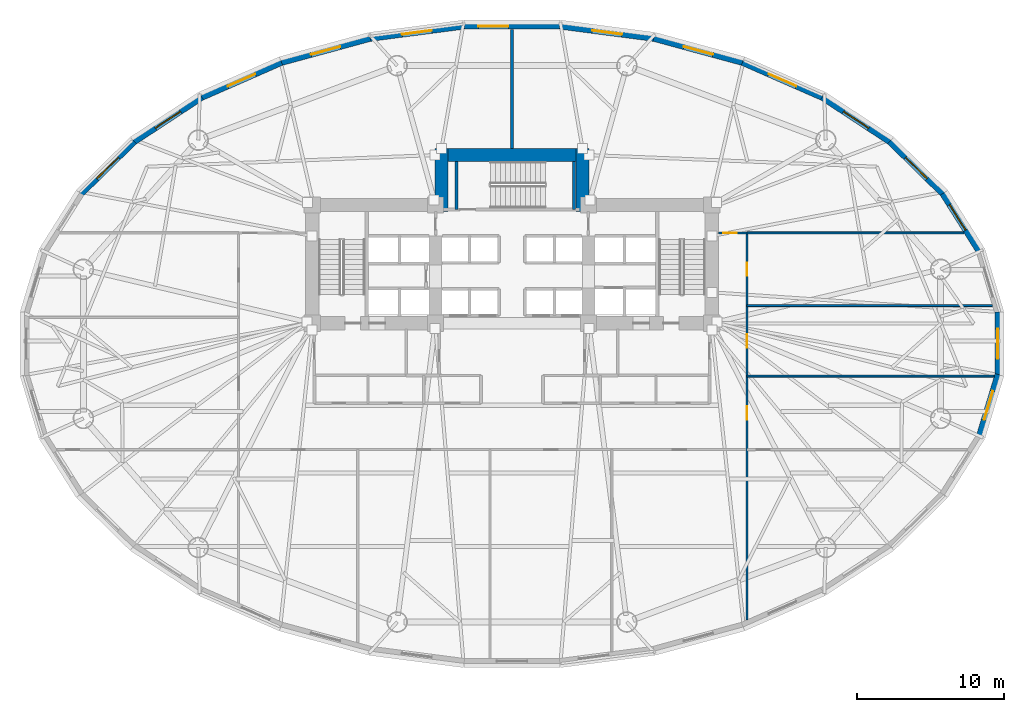
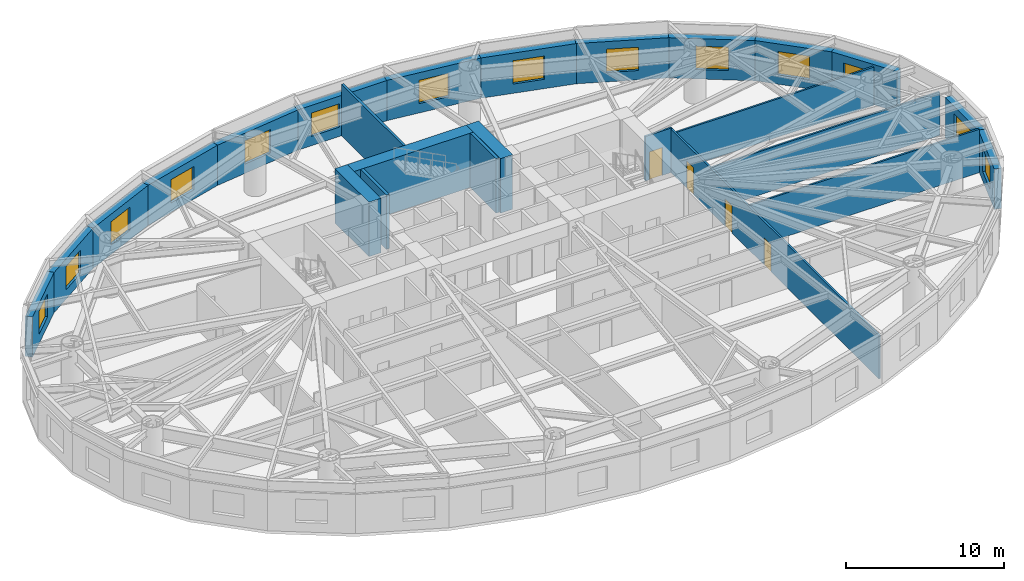
# One storey, part 8 of 14: 25 walls, 14 windows, 4 doors, 18 openings.
"""IFC4 building model written with IfcOpenShell, lengths in metres."""

from ifc_helpers import new_model, si_unit, direction, frame, frame_2d, origin, place, context, subcontext, project, spatial, rectangle, extrude, material, layer, layer_set, type_object, element, fill, save


model = new_model("IFC4")

# Units and contexts
model_context = context("Model", 3, precision=1e-05, world=origin(), true_north=direction((0.0, 1.0)))
body_context = subcontext(model_context, "Body", "Model", "MODEL_VIEW")
ifc_project = project(units=[si_unit("LENGTHUNIT", "METRE"), si_unit("AREAUNIT", "SQUARE_METRE"), si_unit("VOLUMEUNIT", "CUBIC_METRE"), si_unit("PLANEANGLEUNIT", "RADIAN"), si_unit("MASSUNIT", "GRAM", prefix="KILO")], contexts=[model_context])

# Site, building, storey
site_placement = place(None, origin())
site = spatial("IfcSite", under=ifc_project, at=site_placement, CompositionType="ELEMENT")
building_placement = place(site_placement, origin())
building = spatial("IfcBuilding", under=site, at=building_placement, Name="Keldmark Tower", CompositionType="ELEMENT")
storey_placement = place(building_placement, frame((0.0, 0.0, 14.39990234375)))
storey = spatial("IfcBuildingStorey", under=building, at=storey_placement, Name="L03", CompositionType="ELEMENT", Elevation=14.39990234375)

# Wall, openings, doors
ifc_material_1 = material(Name="Acoustic Double-Layer Gypsum Corridor Partition", Category="gypsum")
ifc_layer_1 = layer(ifc_material_1, 0.139892578125)
ifc_layer_set_1 = layer_set([ifc_layer_1], Name="Acoustic Double-Layer Gypsum Corridor Partition")
wall_type_1 = type_object("IfcWallType", Name="Acoustic Corridor Partition 140 mm", PredefinedType="PARTITIONING", material=ifc_layer_set_1)
wall_1_placement = place(storey_placement, frame((16.0, -18.778076171875, 0.0), z_axis=(0.0, 0.0, 1.0), x_axis=(0.0, 1.0, 0.0)))
wall_1 = element("IfcWall", 1, at=wall_1_placement, inside=storey, type_object=wall_type_1, Name="L03 Acoustic Corridor Partition 140 mm COR-E", PredefinedType="PARTITIONING", context=body_context, shape_type="SweptSolid", body=[
    extrude(rectangle(XDim=26.328125, YDim=0.139892578125, at=frame_2d((13.1640625, 0.0))), origin(), (0.0, 0.0, 1.0), 3.34814453125),
])
opening_1_placement = place(wall_1_placement, frame((13.62841796875, 0.0, 0.0)))
opening_1 = element("IfcOpeningElement", 2, at=opening_1_placement, cuts=wall_1, Name="Opening D-IN090", PredefinedType="OPENING", context=body_context, shape_type="SweptSolid", body=[
    extrude(rectangle(XDim=0.89990234375, YDim=2.10009765625, at=frame_2d((0.449951171875, 1.050048828125))), frame((0.0, 0.079833984375, 0.0), z_axis=(0.0, -1.0, 0.0), x_axis=(1.0, 0.0, 0.0)), (0.0, 0.0, 1.0), 0.159912109375),
])
opening_2_placement = place(wall_1_placement, frame((18.5283203125, 0.0, 0.0)))
opening_2 = element("IfcOpeningElement", 3, at=opening_2_placement, cuts=wall_1, Name="Opening D-IN090", PredefinedType="OPENING", context=body_context, shape_type="SweptSolid", body=[
    extrude(rectangle(XDim=0.89990234375, YDim=2.10009765625, at=frame_2d((0.449951171875, 1.050048828125))), frame((0.0, 0.079833984375, 0.0), z_axis=(0.0, -1.0, 0.0), x_axis=(1.0, 0.0, 0.0)), (0.0, 0.0, 1.0), 0.159912109375),
])
opening_3_placement = place(wall_1_placement, frame((23.4033203125, 0.0, 0.0)))
opening_3 = element("IfcOpeningElement", 4, at=opening_3_placement, cuts=wall_1, Name="Opening D-IN090", PredefinedType="OPENING", context=body_context, shape_type="SweptSolid", body=[
    extrude(rectangle(XDim=0.89990234375, YDim=2.10009765625, at=frame_2d((0.449951171875, 1.050048828125))), frame((0.0, 0.079833984375, 0.0), z_axis=(0.0, -1.0, 0.0), x_axis=(1.0, 0.0, 0.0)), (0.0, 0.0, 1.0), 0.159912109375),
])
ifc_material_2 = material(Name="Stained American White Oak Veneer", Category="wood")
door_type_1 = type_object("IfcDoorType", Name="Interior Door 900x2100", OperationType="NOTDEFINED", PredefinedType="DOOR", material=ifc_material_2)
door_1_placement = place(opening_1_placement, origin())
door_1 = element("IfcDoor", 5, at=door_1_placement, inside=storey, type_object=door_type_1, Name="L03 Interior Door 900x2100 D-ER-1-L03", OperationType="SINGLE_SWING_RIGHT", OverallHeight=2.10009765625, OverallWidth=0.89990234375, PredefinedType="DOOR", context=body_context, shape_type="SweptSolid", body=[
    extrude(rectangle(XDim=0.89990234375, YDim=2.10009765625, at=frame_2d((0.449951171875, 1.050048828125))), frame((0.0, 0.02490234375, 0.0), z_axis=(0.0, -1.0, 0.0), x_axis=(1.0, 0.0, 0.0)), (0.0, 0.0, 1.0), 0.050048828125),
])
fill(opening_1, door_1)
door_2_placement = place(opening_2_placement, origin())
door_2 = element("IfcDoor", 6, at=door_2_placement, inside=storey, type_object=door_type_1, Name="L03 Interior Door 900x2100 D-ER-2-L03", OperationType="SINGLE_SWING_LEFT", OverallHeight=2.10009765625, OverallWidth=0.89990234375, PredefinedType="DOOR", context=body_context, shape_type="SweptSolid", body=[
    extrude(rectangle(XDim=0.89990234375, YDim=2.10009765625, at=frame_2d((0.449951171875, 1.050048828125))), frame((0.0, 0.02490234375, 0.0), z_axis=(0.0, -1.0, 0.0), x_axis=(1.0, 0.0, 0.0)), (0.0, 0.0, 1.0), 0.050048828125),
])
fill(opening_2, door_2)
door_3_placement = place(opening_3_placement, origin())
door_3 = element("IfcDoor", 7, at=door_3_placement, inside=storey, type_object=door_type_1, Name="L03 Interior Door 900x2100 D-ER-3-L03", OperationType="SINGLE_SWING_RIGHT", OverallHeight=2.10009765625, OverallWidth=0.89990234375, PredefinedType="DOOR", context=body_context, shape_type="SweptSolid", body=[
    extrude(rectangle(XDim=0.89990234375, YDim=2.10009765625, at=frame_2d((0.449951171875, 1.050048828125))), frame((0.0, 0.02490234375, 0.0), z_axis=(0.0, -1.0, 0.0), x_axis=(1.0, 0.0, 0.0)), (0.0, 0.0, 1.0), 0.050048828125),
])
fill(opening_3, door_3)

# Wall, opening, door
wall_2_placement = place(storey_placement, frame((14.050048828125, 7.550048828125, 0.0), z_axis=(0.0, 0.0, 1.0), x_axis=(1.0, 0.0, 0.0)))
wall_2 = element("IfcWall", 8, at=wall_2_placement, inside=storey, type_object=wall_type_1, Name="L03 Acoustic Corridor Partition 140 mm COR-EN-CAP", PredefinedType="PARTITIONING", context=body_context, shape_type="SweptSolid", body=[
    extrude(rectangle(XDim=1.949951171875, YDim=0.139892578125, at=frame_2d((0.97509765625, 0.0))), origin(), (0.0, 0.0, 1.0), 3.43310546875),
])
opening_4_placement = place(wall_2_placement, frame((0.320068359375, 0.0, 0.0)))
opening_4 = element("IfcOpeningElement", 9, at=opening_4_placement, cuts=wall_2, Name="Opening D-EX092", PredefinedType="OPENING", context=body_context, shape_type="SweptSolid", body=[
    extrude(rectangle(XDim=0.919921875, YDim=2.14990234375, at=frame_2d((0.4599609375, 1.074951171875))), frame((0.0, 0.079833984375, 0.0), z_axis=(0.0, -1.0, 0.0), x_axis=(1.0, 0.0, 0.0)), (0.0, 0.0, 1.0), 0.159912109375),
])
ifc_material_3 = material(Name="Flush American Ash Executive Office Door", Category="wood")
door_type_2 = type_object("IfcDoorType", Name="Executive Office Door 920x2150", OperationType="NOTDEFINED", PredefinedType="DOOR", material=ifc_material_3)
door_4_placement = place(opening_4_placement, origin())
door_4 = element("IfcDoor", 10, at=door_4_placement, inside=storey, type_object=door_type_2, Name="L03 Executive Office Door 920x2150 D-NRNE-L03", OperationType="SINGLE_SWING_RIGHT", OverallHeight=2.14990234375, OverallWidth=0.919921875, PredefinedType="DOOR", context=body_context, shape_type="SweptSolid", body=[
    extrude(rectangle(XDim=0.919921875, YDim=2.14990234375, at=frame_2d((0.4599609375, 1.074951171875))), frame((0.0, 0.02490234375, 0.0), z_axis=(0.0, -1.0, 0.0), x_axis=(1.0, 0.0, 0.0)), (0.0, 0.0, 1.0), 0.050048828125),
])
fill(opening_4, door_4)

# Walls
ifc_material_4 = material(Name="STC-58 Insulated Tenant Demising Gypsum Partition", Category="gypsum")
ifc_layer_2 = layer(ifc_material_4, 0.175048828125)
ifc_layer_set_2 = layer_set([ifc_layer_2], Name="STC-58 Insulated Tenant Demising Gypsum Partition")
wall_type_2 = type_object("IfcWallType", Name="Demising Suite Partition 175 mm", PredefinedType="PARTITIONING", material=ifc_layer_set_2)
wall_3_placement = place(storey_placement, frame((0.0, 13.300048828125, 0.0), z_axis=(0.0, 0.0, 1.0), x_axis=(0.0, 1.0, 0.0)))
element("IfcWall", 11, at=wall_3_placement, inside=storey, type_object=wall_type_2, Name="L03 Demising Suite Partition 175 mm N-MID-DIV", PredefinedType="PARTITIONING", context=body_context, shape_type="SweptSolid", body=[
    extrude(rectangle(XDim=8.10595703125, YDim=0.175048828125, at=frame_2d((4.052978515625, 0.0))), origin(), (0.0, 0.0, 1.0), 3.97998046875),
])
ifc_material_5 = material(Name="Acoustic Gypsum Board Interior Partition", Category="gypsum")
ifc_layer_3 = layer(ifc_material_5, 0.1298828125)
ifc_layer_set_3 = layer_set([ifc_layer_3], Name="Acoustic Gypsum Board Interior Partition")
wall_type_3 = type_object("IfcWallType", Name="Interior Partition 130 mm", PredefinedType="PARTITIONING", material=ifc_layer_set_3)
wall_4_placement = place(storey_placement, frame((16.0, 7.550048828125, 0.0), z_axis=(0.0, 0.0, 1.0), x_axis=(1.0, 0.0, 0.0)))
element("IfcWall", 12, at=wall_4_placement, inside=storey, type_object=wall_type_3, Name="L03 Interior Partition 130 mm E-CAP-N", PredefinedType="PARTITIONING", context=body_context, shape_type="SweptSolid", body=[
    extrude(rectangle(XDim=14.74658203125, YDim=0.1298828125, at=frame_2d((7.373291015625, 0.0))), origin(), (0.0, 0.0, 1.0), 2.9580078125),
])
wall_5_placement = place(storey_placement, frame((16.0, -2.199951171875, 0.0), z_axis=(0.0, 0.0, 1.0), x_axis=(1.0, 0.0, 0.0)))
element("IfcWall", 13, at=wall_5_placement, inside=storey, type_object=wall_type_3, Name="L03 Interior Partition 130 mm E-DIV-1", PredefinedType="PARTITIONING", context=body_context, shape_type="SweptSolid", body=[
    extrude(rectangle(XDim=16.815673828125, YDim=0.1298828125, at=frame_2d((8.40771484375, 0.0))), origin(), (0.0, 0.0, 1.0), 3.34814453125),
])
wall_6_placement = place(storey_placement, frame((16.0, 2.60009765625, 0.0), z_axis=(0.0, 0.0, 1.0), x_axis=(1.0, 0.0, 0.0)))
element("IfcWall", 14, at=wall_6_placement, inside=storey, type_object=wall_type_3, Name="L03 Interior Partition 130 mm E-DIV-2", PredefinedType="PARTITIONING", context=body_context, shape_type="SweptSolid", body=[
    extrude(rectangle(XDim=16.6943359375, YDim=0.1298828125, at=frame_2d((8.34716796875, 0.0))), origin(), (0.0, 0.0, 1.0), 3.34814453125),
])
ifc_material_6 = material(Name="Concrete C70/85", Category="concrete")
ifc_layer_4 = layer(ifc_material_6, 0.89990234375)
ifc_layer_set_4 = layer_set([ifc_layer_4], Name="Concrete C70/85")
wall_type_4 = type_object("IfcWallType", Name="Lower Core Shear Wall 900 mm", PredefinedType="SHEAR", material=ifc_layer_set_4)
wall_7_placement = place(storey_placement, frame((-5.25, 12.85009765625, 0.0), z_axis=(0.0, 0.0, 1.0), x_axis=(1.0, 0.0, 0.0)))
element("IfcWall", 15, at=wall_7_placement, inside=storey, type_object=wall_type_4, Name="L03 North Core Shear Wall", PredefinedType="SHEAR", context=body_context, shape_type="SweptSolid", body=[
    extrude(rectangle(XDim=10.5, YDim=0.89990234375, at=frame_2d((5.25, 0.0))), origin(), (0.0, 0.0, 1.0), 4.2001953125),
])
for number, where, z_axis, x_axis, name in (
    (16, (-4.800048828125, 9.0, 0.0), (0.0, 0.0, 1.0), (0.0, 1.0, 0.0), "L03 North Core West Shear Wall"),
    (17, (4.800048828125, 9.0, 0.0), (0.0, 0.0, 1.0), (0.0, 1.0, 0.0), "L03 North Core East Shear Wall"),
):
    element("IfcWall", number, at=place(storey_placement, frame(where, z_axis=z_axis, x_axis=x_axis)), inside=storey, type_object=wall_type_4, Name=name, PredefinedType="SHEAR", context=body_context, shape_type="SweptSolid", body=[
        extrude(rectangle(XDim=4.300048828125, YDim=0.89990234375, at=frame_2d((2.14990234375, 0.0))), origin(), (0.0, 0.0, 1.0), 4.2001953125),
    ])

# Wall, opening, window
ifc_material_7 = material(Name="Ironspot Manganese Brick and Kasota Buff Limestone Cavity Assembly", Category="masonry")
ifc_layer_5 = layer(ifc_material_7, 0.47998046875)
ifc_layer_set_5 = layer_set([ifc_layer_5], Name="Ironspot Manganese Brick and Kasota Buff Limestone Cavity Assembly")
wall_type_5 = type_object("IfcWallType", Name="Podium Brick and Limestone Cavity Wall 480 mm", PredefinedType="STANDARD", material=ifc_layer_set_5)
wall_8_placement = place(storey_placement, frame((29.34130859375, 10.24267578125, 0.0), z_axis=(0.0, 0.0, 1.0), x_axis=(0.53349762721, -0.845801561693, 0.0)))
wall_8 = element("IfcWall", 18, at=wall_8_placement, inside=storey, type_object=wall_type_5, Name="L03 Exterior Brick and Spandrel Wall 02", PredefinedType="STANDARD", context=body_context, shape_type="SweptSolid", body=[
    extrude(rectangle(XDim=4.710693359375, YDim=0.47998046875, at=frame_2d((2.35546875, 0.0))), origin(), (0.0, 0.0, 1.0), 3.109130859375),
])
opening_5_placement = place(wall_8_placement, frame((0.88818359375, 0.0, 0.719970703125)))
opening_5 = element("IfcOpeningElement", 19, at=opening_5_placement, cuts=wall_8, Name="Opening W-07", PredefinedType="OPENING", context=body_context, shape_type="SweptSolid", body=[
    extrude(rectangle(XDim=2.050048828125, YDim=1.800048828125, at=frame_2d((1.02490234375, 0.89990234375))), frame((0.0, 0.25, 0.0), z_axis=(0.0, -1.0, 0.0), x_axis=(1.0, 0.0, 0.0)), (0.0, 0.0, 1.0), 0.5),
])
ifc_material_8 = material(Name="Thermally Broken Anodized Aluminum and Triple Low-E Argon Glazing", Category="aluminium")
window_type = type_object("IfcWindowType", Name="Podium Mezzanine Punched Window 2050x1800", PartitioningType="DOUBLE_PANEL_VERTICAL", PredefinedType="WINDOW", material=ifc_material_8)
window_1_placement = place(opening_5_placement, origin())
window_1 = element("IfcWindow", 20, at=window_1_placement, inside=storey, type_object=window_type, Name="L03 Deep-Set Window 02", OverallHeight=1.800048828125, OverallWidth=2.050048828125, PartitioningType="SINGLE_PANEL", PredefinedType="WINDOW", context=body_context, shape_type="SweptSolid", body=[
    extrude(rectangle(XDim=2.050048828125, YDim=1.800048828125, at=frame_2d((1.02490234375, 0.89990234375))), frame((0.0, -0.010009765625, 0.0), z_axis=(0.0, -1.0, 0.0), x_axis=(1.0, 0.0, 0.0)), (0.0, 0.0, 1.0), 0.06005859375),
])
fill(opening_5, window_1)

wall_9_placement = place(storey_placement, frame((25.727783203125, 13.785400390625, 0.0), z_axis=(0.0, 0.0, 1.0), x_axis=(0.713189080178, -0.700971708355, 0.0)))
wall_9 = element("IfcWall", 21, at=wall_9_placement, inside=storey, type_object=wall_type_5, Name="L03 Exterior Brick and Spandrel Wall 03", PredefinedType="STANDARD", context=body_context, shape_type="SweptSolid", body=[
    extrude(rectangle(XDim=5.11572265625, YDim=0.47998046875, at=frame_2d((2.557861328125, 0.0))), origin(), (0.0, 0.0, 1.0), 3.109130859375),
])
opening_6_placement = place(wall_9_placement, frame((1.532958984375, 0.0, 0.719970703125)))
opening_6 = element("IfcOpeningElement", 22, at=opening_6_placement, cuts=wall_9, Name="Opening W-07", PredefinedType="OPENING", context=body_context, shape_type="SweptSolid", body=[
    extrude(rectangle(XDim=2.050048828125, YDim=1.800048828125, at=frame_2d((1.02490234375, 0.89990234375))), frame((0.0, 0.25, 0.0), z_axis=(0.0, -1.0, 0.0), x_axis=(1.0, 0.0, 0.0)), (0.0, 0.0, 1.0), 0.5),
])
window_2_placement = place(opening_6_placement, origin())
window_2 = element("IfcWindow", 23, at=window_2_placement, inside=storey, type_object=window_type, Name="L03 Deep-Set Window 03", OverallHeight=1.800048828125, OverallWidth=2.050048828125, PartitioningType="SINGLE_PANEL", PredefinedType="WINDOW", context=body_context, shape_type="SweptSolid", body=[
    extrude(rectangle(XDim=2.050048828125, YDim=1.800048828125, at=frame_2d((1.02490234375, 0.89990234375))), frame((0.0, -0.010009765625, 0.0), z_axis=(0.0, -1.0, 0.0), x_axis=(1.0, 0.0, 0.0)), (0.0, 0.0, 1.0), 0.06005859375),
])
fill(opening_6, window_2)

wall_10_placement = place(storey_placement, frame((21.12060546875, 16.8056640625, 0.0), z_axis=(0.0, 0.0, 1.0), x_axis=(0.835863918172, -0.548936708827, 0.0)))
wall_10 = element("IfcWall", 24, at=wall_10_placement, inside=storey, type_object=wall_type_5, Name="L03 Exterior Brick and Spandrel Wall 04", PredefinedType="STANDARD", context=body_context, shape_type="SweptSolid", body=[
    extrude(rectangle(XDim=5.555419921875, YDim=0.47998046875, at=frame_2d((2.77783203125, 0.0))), origin(), (0.0, 0.0, 1.0), 3.109130859375),
])
opening_7_placement = place(wall_10_placement, frame((1.752685546875, 0.0, 0.719970703125)))
opening_7 = element("IfcOpeningElement", 25, at=opening_7_placement, cuts=wall_10, Name="Opening W-07", PredefinedType="OPENING", context=body_context, shape_type="SweptSolid", body=[
    extrude(rectangle(XDim=2.050048828125, YDim=1.800048828125, at=frame_2d((1.02490234375, 0.89990234375))), frame((0.0, 0.25, 0.0), z_axis=(0.0, -1.0, 0.0), x_axis=(1.0, 0.0, 0.0)), (0.0, 0.0, 1.0), 0.5),
])
window_3_placement = place(opening_7_placement, origin())
window_3 = element("IfcWindow", 26, at=window_3_placement, inside=storey, type_object=window_type, Name="L03 Deep-Set Window 04", OverallHeight=1.800048828125, OverallWidth=2.050048828125, PartitioningType="SINGLE_PANEL", PredefinedType="WINDOW", context=body_context, shape_type="SweptSolid", body=[
    extrude(rectangle(XDim=2.050048828125, YDim=1.800048828125, at=frame_2d((1.02490234375, 0.89990234375))), frame((0.0, -0.010009765625, 0.0), z_axis=(0.0, -1.0, 0.0), x_axis=(1.0, 0.0, 0.0)), (0.0, 0.0, 1.0), 0.06005859375),
])
fill(opening_7, window_3)

wall_11_placement = place(storey_placement, frame((15.6953125, 19.1826171875, 0.0), z_axis=(0.0, 0.0, 1.0), x_axis=(0.91570760638, -0.401845218484, 0.0)))
wall_11 = element("IfcWall", 27, at=wall_11_placement, inside=storey, type_object=wall_type_5, Name="L03 Exterior Brick and Spandrel Wall 05", PredefinedType="STANDARD", context=body_context, shape_type="SweptSolid", body=[
    extrude(rectangle(XDim=5.963134765625, YDim=0.47998046875, at=frame_2d((2.9814453125, 0.0))), origin(), (0.0, 0.0, 1.0), 3.109130859375),
])
opening_8_placement = place(wall_11_placement, frame((1.95654296875, 0.0, 0.719970703125)))
opening_8 = element("IfcOpeningElement", 28, at=opening_8_placement, cuts=wall_11, Name="Opening W-07", PredefinedType="OPENING", context=body_context, shape_type="SweptSolid", body=[
    extrude(rectangle(XDim=2.050048828125, YDim=1.800048828125, at=frame_2d((1.02490234375, 0.89990234375))), frame((0.0, 0.25, 0.0), z_axis=(0.0, -1.0, 0.0), x_axis=(1.0, 0.0, 0.0)), (0.0, 0.0, 1.0), 0.5),
])
window_4_placement = place(opening_8_placement, origin())
window_4 = element("IfcWindow", 29, at=window_4_placement, inside=storey, type_object=window_type, Name="L03 Deep-Set Window 05", OverallHeight=1.800048828125, OverallWidth=2.050048828125, PartitioningType="SINGLE_PANEL", PredefinedType="WINDOW", context=body_context, shape_type="SweptSolid", body=[
    extrude(rectangle(XDim=2.050048828125, YDim=1.800048828125, at=frame_2d((1.02490234375, 0.89990234375))), frame((0.0, -0.010009765625, 0.0), z_axis=(0.0, -1.0, 0.0), x_axis=(1.0, 0.0, 0.0)), (0.0, 0.0, 1.0), 0.06005859375),
])
fill(opening_8, window_4)

wall_12_placement = place(storey_placement, frame((9.66162109375, 20.821044921875, 0.0), z_axis=(0.0, 0.0, 1.0), x_axis=(0.964936550718, -0.262483243445, 0.0)))
wall_12 = element("IfcWall", 30, at=wall_12_placement, inside=storey, type_object=wall_type_5, Name="L03 Exterior Brick and Spandrel Wall 06", PredefinedType="STANDARD", context=body_context, shape_type="SweptSolid", body=[
    extrude(rectangle(XDim=6.28759765625, YDim=0.47998046875, at=frame_2d((3.143798828125, 0.0))), origin(), (0.0, 0.0, 1.0), 3.109130859375),
])
opening_9_placement = place(wall_12_placement, frame((2.118896484375, 0.0, 0.719970703125)))
opening_9 = element("IfcOpeningElement", 31, at=opening_9_placement, cuts=wall_12, Name="Opening W-07", PredefinedType="OPENING", context=body_context, shape_type="SweptSolid", body=[
    extrude(rectangle(XDim=2.050048828125, YDim=1.800048828125, at=frame_2d((1.02490234375, 0.89990234375))), frame((0.0, 0.25, 0.0), z_axis=(0.0, -1.0, 0.0), x_axis=(1.0, 0.0, 0.0)), (0.0, 0.0, 1.0), 0.5),
])
window_5_placement = place(opening_9_placement, origin())
window_5 = element("IfcWindow", 32, at=window_5_placement, inside=storey, type_object=window_type, Name="L03 Deep-Set Window 06", OverallHeight=1.800048828125, OverallWidth=2.050048828125, PartitioningType="SINGLE_PANEL", PredefinedType="WINDOW", context=body_context, shape_type="SweptSolid", body=[
    extrude(rectangle(XDim=2.050048828125, YDim=1.800048828125, at=frame_2d((1.02490234375, 0.89990234375))), frame((0.0, -0.010009765625, 0.0), z_axis=(0.0, -1.0, 0.0), x_axis=(1.0, 0.0, 0.0)), (0.0, 0.0, 1.0), 0.06005859375),
])
fill(opening_9, window_5)

wall_13_placement = place(storey_placement, frame((3.25244140625, 21.656005859375, 0.0), z_axis=(0.0, 0.0, 1.0), x_axis=(0.991576921472, -0.129519144545, 0.0)))
wall_13 = element("IfcWall", 33, at=wall_13_placement, inside=storey, type_object=wall_type_5, Name="L03 Exterior Brick and Spandrel Wall 07", PredefinedType="STANDARD", context=body_context, shape_type="SweptSolid", body=[
    extrude(rectangle(XDim=6.49560546875, YDim=0.47998046875, at=frame_2d((3.247802734375, 0.0))), origin(), (0.0, 0.0, 1.0), 3.109130859375),
])
opening_10_placement = place(wall_13_placement, frame((2.222900390625, 0.0, 0.719970703125)))
opening_10 = element("IfcOpeningElement", 34, at=opening_10_placement, cuts=wall_13, Name="Opening W-07", PredefinedType="OPENING", context=body_context, shape_type="SweptSolid", body=[
    extrude(rectangle(XDim=2.050048828125, YDim=1.800048828125, at=frame_2d((1.02490234375, 0.89990234375))), frame((0.0, 0.25, 0.0), z_axis=(0.0, -1.0, 0.0), x_axis=(1.0, 0.0, 0.0)), (0.0, 0.0, 1.0), 0.5),
])
window_6_placement = place(opening_10_placement, origin())
window_6 = element("IfcWindow", 35, at=window_6_placement, inside=storey, type_object=window_type, Name="L03 Deep-Set Window 07", OverallHeight=1.800048828125, OverallWidth=2.050048828125, PartitioningType="SINGLE_PANEL", PredefinedType="WINDOW", context=body_context, shape_type="SweptSolid", body=[
    extrude(rectangle(XDim=2.050048828125, YDim=1.800048828125, at=frame_2d((1.02490234375, 0.89990234375))), frame((0.0, -0.010009765625, 0.0), z_axis=(0.0, -1.0, 0.0), x_axis=(1.0, 0.0, 0.0)), (0.0, 0.0, 1.0), 0.06005859375),
])
fill(opening_10, window_6)

wall_14_placement = place(storey_placement, frame((-3.28369140625, 21.654052734375, 0.0), z_axis=(0.0, 0.0, 1.0), x_axis=(1.0, 0.0, 0.0)))
wall_14 = element("IfcWall", 36, at=wall_14_placement, inside=storey, type_object=wall_type_5, Name="L03 Exterior Brick and Spandrel Wall 08", PredefinedType="STANDARD", context=body_context, shape_type="SweptSolid", body=[
    extrude(rectangle(XDim=6.5673828125, YDim=0.47998046875, at=frame_2d((3.28369140625, 0.0))), origin(), (0.0, 0.0, 1.0), 3.109130859375),
])
opening_11_placement = place(wall_14_placement, frame((0.99365234375, 0.0, 0.719970703125)))
opening_11 = element("IfcOpeningElement", 37, at=opening_11_placement, cuts=wall_14, Name="Opening W-07", PredefinedType="OPENING", context=body_context, shape_type="SweptSolid", body=[
    extrude(rectangle(XDim=2.050048828125, YDim=1.800048828125, at=frame_2d((1.02490234375, 0.89990234375))), frame((0.0, 0.25, 0.0), z_axis=(0.0, -1.0, 0.0), x_axis=(1.0, 0.0, 0.0)), (0.0, 0.0, 1.0), 0.5),
])
window_7_placement = place(opening_11_placement, origin())
window_7 = element("IfcWindow", 38, at=window_7_placement, inside=storey, type_object=window_type, Name="L03 Deep-Set Window 08", OverallHeight=1.800048828125, OverallWidth=2.050048828125, PartitioningType="SINGLE_PANEL", PredefinedType="WINDOW", context=body_context, shape_type="SweptSolid", body=[
    extrude(rectangle(XDim=2.050048828125, YDim=1.800048828125, at=frame_2d((1.02490234375, 0.89990234375))), frame((0.0, -0.010009765625, 0.0), z_axis=(0.0, -1.0, 0.0), x_axis=(1.0, 0.0, 0.0)), (0.0, 0.0, 1.0), 0.06005859375),
])
fill(opening_11, window_7)

wall_15_placement = place(storey_placement, frame((-9.693359375, 20.814697265625, 0.0), z_axis=(0.0, 0.0, 1.0), x_axis=(0.991576921472, 0.129519144545, 0.0)))
wall_15 = element("IfcWall", 39, at=wall_15_placement, inside=storey, type_object=wall_type_5, Name="L03 Exterior Brick and Spandrel Wall 09", PredefinedType="STANDARD", context=body_context, shape_type="SweptSolid", body=[
    extrude(rectangle(XDim=6.49560546875, YDim=0.47998046875, at=frame_2d((3.247802734375, 0.0))), origin(), (0.0, 0.0, 1.0), 3.109130859375),
])
opening_12_placement = place(wall_15_placement, frame((2.222900390625, 0.0, 0.719970703125)))
opening_12 = element("IfcOpeningElement", 40, at=opening_12_placement, cuts=wall_15, Name="Opening W-07", PredefinedType="OPENING", context=body_context, shape_type="SweptSolid", body=[
    extrude(rectangle(XDim=2.050048828125, YDim=1.800048828125, at=frame_2d((1.02490234375, 0.89990234375))), frame((0.0, 0.25, 0.0), z_axis=(0.0, -1.0, 0.0), x_axis=(1.0, 0.0, 0.0)), (0.0, 0.0, 1.0), 0.5),
])
window_8_placement = place(opening_12_placement, origin())
window_8 = element("IfcWindow", 41, at=window_8_placement, inside=storey, type_object=window_type, Name="L03 Deep-Set Window 09", OverallHeight=1.800048828125, OverallWidth=2.050048828125, PartitioningType="SINGLE_PANEL", PredefinedType="WINDOW", context=body_context, shape_type="SweptSolid", body=[
    extrude(rectangle(XDim=2.050048828125, YDim=1.800048828125, at=frame_2d((1.02490234375, 0.89990234375))), frame((0.0, -0.010009765625, 0.0), z_axis=(0.0, -1.0, 0.0), x_axis=(1.0, 0.0, 0.0)), (0.0, 0.0, 1.0), 0.06005859375),
])
fill(opening_12, window_8)

wall_16_placement = place(storey_placement, frame((-15.728759765625, 19.170654296875, 0.0), z_axis=(0.0, 0.0, 1.0), x_axis=(0.964936550718, 0.262483243445, 0.0)))
wall_16 = element("IfcWall", 42, at=wall_16_placement, inside=storey, type_object=wall_type_5, Name="L03 Exterior Brick and Spandrel Wall 10", PredefinedType="STANDARD", context=body_context, shape_type="SweptSolid", body=[
    extrude(rectangle(XDim=6.28759765625, YDim=0.47998046875, at=frame_2d((3.143798828125, 0.0))), origin(), (0.0, 0.0, 1.0), 3.109130859375),
])
opening_13_placement = place(wall_16_placement, frame((2.118896484375, 0.0, 0.719970703125)))
opening_13 = element("IfcOpeningElement", 43, at=opening_13_placement, cuts=wall_16, Name="Opening W-07", PredefinedType="OPENING", context=body_context, shape_type="SweptSolid", body=[
    extrude(rectangle(XDim=2.050048828125, YDim=1.800048828125, at=frame_2d((1.02490234375, 0.89990234375))), frame((0.0, 0.25, 0.0), z_axis=(0.0, -1.0, 0.0), x_axis=(1.0, 0.0, 0.0)), (0.0, 0.0, 1.0), 0.5),
])
window_9_placement = place(opening_13_placement, origin())
window_9 = element("IfcWindow", 44, at=window_9_placement, inside=storey, type_object=window_type, Name="L03 Deep-Set Window 10", OverallHeight=1.800048828125, OverallWidth=2.050048828125, PartitioningType="SINGLE_PANEL", PredefinedType="WINDOW", context=body_context, shape_type="SweptSolid", body=[
    extrude(rectangle(XDim=2.050048828125, YDim=1.800048828125, at=frame_2d((1.02490234375, 0.89990234375))), frame((0.0, -0.010009765625, 0.0), z_axis=(0.0, -1.0, 0.0), x_axis=(1.0, 0.0, 0.0)), (0.0, 0.0, 1.0), 0.06005859375),
])
fill(opening_13, window_9)

wall_17_placement = place(storey_placement, frame((-21.15576171875, 16.786376953125, 0.0), z_axis=(0.0, 0.0, 1.0), x_axis=(0.91570760638, 0.401845218484, 0.0)))
wall_17 = element("IfcWall", 45, at=wall_17_placement, inside=storey, type_object=wall_type_5, Name="L03 Exterior Brick and Spandrel Wall 11", PredefinedType="STANDARD", context=body_context, shape_type="SweptSolid", body=[
    extrude(rectangle(XDim=5.963134765625, YDim=0.47998046875, at=frame_2d((2.9814453125, 0.0))), origin(), (0.0, 0.0, 1.0), 3.109130859375),
])
opening_14_placement = place(wall_17_placement, frame((1.95654296875, 0.0, 0.719970703125)))
opening_14 = element("IfcOpeningElement", 46, at=opening_14_placement, cuts=wall_17, Name="Opening W-07", PredefinedType="OPENING", context=body_context, shape_type="SweptSolid", body=[
    extrude(rectangle(XDim=2.050048828125, YDim=1.800048828125, at=frame_2d((1.02490234375, 0.89990234375))), frame((0.0, 0.25, 0.0), z_axis=(0.0, -1.0, 0.0), x_axis=(1.0, 0.0, 0.0)), (0.0, 0.0, 1.0), 0.5),
])
window_10_placement = place(opening_14_placement, origin())
window_10 = element("IfcWindow", 47, at=window_10_placement, inside=storey, type_object=window_type, Name="L03 Deep-Set Window 11", OverallHeight=1.800048828125, OverallWidth=2.050048828125, PartitioningType="SINGLE_PANEL", PredefinedType="WINDOW", context=body_context, shape_type="SweptSolid", body=[
    extrude(rectangle(XDim=2.050048828125, YDim=1.800048828125, at=frame_2d((1.02490234375, 0.89990234375))), frame((0.0, -0.010009765625, 0.0), z_axis=(0.0, -1.0, 0.0), x_axis=(1.0, 0.0, 0.0)), (0.0, 0.0, 1.0), 0.06005859375),
])
fill(opening_14, window_10)

wall_18_placement = place(storey_placement, frame((-25.76416015625, 13.756103515625, 0.0), z_axis=(0.0, 0.0, 1.0), x_axis=(0.835863918172, 0.548936708827, 0.0)))
wall_18 = element("IfcWall", 48, at=wall_18_placement, inside=storey, type_object=wall_type_5, Name="L03 Exterior Brick and Spandrel Wall 12", PredefinedType="STANDARD", context=body_context, shape_type="SweptSolid", body=[
    extrude(rectangle(XDim=5.555419921875, YDim=0.47998046875, at=frame_2d((2.77783203125, 0.0))), origin(), (0.0, 0.0, 1.0), 3.109130859375),
])
opening_15_placement = place(wall_18_placement, frame((1.752685546875, 0.0, 0.719970703125)))
opening_15 = element("IfcOpeningElement", 49, at=opening_15_placement, cuts=wall_18, Name="Opening W-07", PredefinedType="OPENING", context=body_context, shape_type="SweptSolid", body=[
    extrude(rectangle(XDim=2.050048828125, YDim=1.800048828125, at=frame_2d((1.02490234375, 0.89990234375))), frame((0.0, 0.25, 0.0), z_axis=(0.0, -1.0, 0.0), x_axis=(1.0, 0.0, 0.0)), (0.0, 0.0, 1.0), 0.5),
])
window_11_placement = place(opening_15_placement, origin())
window_11 = element("IfcWindow", 50, at=window_11_placement, inside=storey, type_object=window_type, Name="L03 Deep-Set Window 12", OverallHeight=1.800048828125, OverallWidth=2.050048828125, PartitioningType="SINGLE_PANEL", PredefinedType="WINDOW", context=body_context, shape_type="SweptSolid", body=[
    extrude(rectangle(XDim=2.050048828125, YDim=1.800048828125, at=frame_2d((1.02490234375, 0.89990234375))), frame((0.0, -0.010009765625, 0.0), z_axis=(0.0, -1.0, 0.0), x_axis=(1.0, 0.0, 0.0)), (0.0, 0.0, 1.0), 0.06005859375),
])
fill(opening_15, window_11)

wall_19_placement = place(storey_placement, frame((-29.376220703125, 10.199462890625, 0.0), z_axis=(0.0, 0.0, 1.0), x_axis=(0.713189080178, 0.700971708355, 0.0)))
wall_19 = element("IfcWall", 51, at=wall_19_placement, inside=storey, type_object=wall_type_5, Name="L03 Exterior Brick and Spandrel Wall 13", PredefinedType="STANDARD", context=body_context, shape_type="SweptSolid", body=[
    extrude(rectangle(XDim=5.11572265625, YDim=0.47998046875, at=frame_2d((2.557861328125, 0.0))), origin(), (0.0, 0.0, 1.0), 3.109130859375),
])
opening_16_placement = place(wall_19_placement, frame((1.532958984375, 0.0, 0.719970703125)))
opening_16 = element("IfcOpeningElement", 52, at=opening_16_placement, cuts=wall_19, Name="Opening W-07", PredefinedType="OPENING", context=body_context, shape_type="SweptSolid", body=[
    extrude(rectangle(XDim=2.050048828125, YDim=1.800048828125, at=frame_2d((1.02490234375, 0.89990234375))), frame((0.0, 0.25, 0.0), z_axis=(0.0, -1.0, 0.0), x_axis=(1.0, 0.0, 0.0)), (0.0, 0.0, 1.0), 0.5),
])
window_12_placement = place(opening_16_placement, origin())
window_12 = element("IfcWindow", 53, at=window_12_placement, inside=storey, type_object=window_type, Name="L03 Deep-Set Window 13", OverallHeight=1.800048828125, OverallWidth=2.050048828125, PartitioningType="SINGLE_PANEL", PredefinedType="WINDOW", context=body_context, shape_type="SweptSolid", body=[
    extrude(rectangle(XDim=2.050048828125, YDim=1.800048828125, at=frame_2d((1.02490234375, 0.89990234375))), frame((0.0, -0.010009765625, 0.0), z_axis=(0.0, -1.0, 0.0), x_axis=(1.0, 0.0, 0.0)), (0.0, 0.0, 1.0), 0.06005859375),
])
fill(opening_16, window_12)

wall_20_placement = place(storey_placement, frame((33.10888671875, -2.0869140625, 0.0), z_axis=(0.0, 0.0, 1.0), x_axis=(-0.289855603468, -0.957070388811, 0.0)))
wall_20 = element("IfcWall", 54, at=wall_20_placement, inside=storey, type_object=wall_type_5, Name="L03 Exterior Brick and Spandrel Wall 31", PredefinedType="STANDARD", context=body_context, shape_type="SweptSolid", body=[
    extrude(rectangle(XDim=4.41943359375, YDim=0.47998046875, at=frame_2d((2.209716796875, 0.0))), origin(), (0.0, 0.0, 1.0), 3.109130859375),
])
opening_17_placement = place(wall_20_placement, frame((1.184814453125, 0.0, 0.719970703125)))
opening_17 = element("IfcOpeningElement", 55, at=opening_17_placement, cuts=wall_20, Name="Opening W-07", PredefinedType="OPENING", context=body_context, shape_type="SweptSolid", body=[
    extrude(rectangle(XDim=2.050048828125, YDim=1.800048828125, at=frame_2d((1.02490234375, 0.89990234375))), frame((0.0, 0.25, 0.0), z_axis=(0.0, -1.0, 0.0), x_axis=(1.0, 0.0, 0.0)), (0.0, 0.0, 1.0), 0.5),
])
window_13_placement = place(opening_17_placement, origin())
window_13 = element("IfcWindow", 56, at=window_13_placement, inside=storey, type_object=window_type, Name="L03 Deep-Set Window 31", OverallHeight=1.800048828125, OverallWidth=2.050048828125, PartitioningType="SINGLE_PANEL", PredefinedType="WINDOW", context=body_context, shape_type="SweptSolid", body=[
    extrude(rectangle(XDim=2.050048828125, YDim=1.800048828125, at=frame_2d((1.02490234375, 0.89990234375))), frame((0.0, -0.010009765625, 0.0), z_axis=(0.0, -1.0, 0.0), x_axis=(1.0, 0.0, 0.0)), (0.0, 0.0, 1.0), 0.06005859375),
])
fill(opening_17, window_13)

wall_21_placement = place(storey_placement, frame((33.0986328125, 2.156494140625, 0.0), z_axis=(0.0, 0.0, 1.0), x_axis=(0.0, -1.0, 0.0)))
wall_21 = element("IfcWall", 57, at=wall_21_placement, inside=storey, type_object=wall_type_5, Name="L03 Exterior Brick and Spandrel Wall 32", PredefinedType="STANDARD", context=body_context, shape_type="SweptSolid", body=[
    extrude(rectangle(XDim=4.31298828125, YDim=0.47998046875, at=frame_2d((2.156494140625, 0.0))), origin(), (0.0, 0.0, 1.0), 3.109130859375),
])
opening_18_placement = place(wall_21_placement, frame((1.13134765625, 0.0, 0.719970703125)))
opening_18 = element("IfcOpeningElement", 58, at=opening_18_placement, cuts=wall_21, Name="Opening W-07", PredefinedType="OPENING", context=body_context, shape_type="SweptSolid", body=[
    extrude(rectangle(XDim=2.050048828125, YDim=1.800048828125, at=frame_2d((1.02490234375, 0.89990234375))), frame((0.0, 0.25, 0.0), z_axis=(0.0, -1.0, 0.0), x_axis=(1.0, 0.0, 0.0)), (0.0, 0.0, 1.0), 0.5),
])
window_14_placement = place(opening_18_placement, origin())
window_14 = element("IfcWindow", 59, at=window_14_placement, inside=storey, type_object=window_type, Name="L03 Deep-Set Window 32", OverallHeight=1.800048828125, OverallWidth=2.050048828125, PartitioningType="SINGLE_PANEL", PredefinedType="WINDOW", context=body_context, shape_type="SweptSolid", body=[
    extrude(rectangle(XDim=2.050048828125, YDim=1.800048828125, at=frame_2d((1.02490234375, 0.89990234375))), frame((0.0, -0.010009765625, 0.0), z_axis=(0.0, -1.0, 0.0), x_axis=(1.0, 0.0, 0.0)), (0.0, 0.0, 1.0), 0.06005859375),
])
fill(opening_18, window_14)

# Walls
ifc_material_9 = material(Name="Concrete C50/60", Category="concrete")
ifc_layer_6 = layer(ifc_material_9, 0.219970703125)
ifc_layer_set_6 = layer_set([ifc_layer_6], Name="Concrete C50/60")
wall_type_6 = type_object("IfcWallType", Name="Stair Core Shear Wall 220 mm", PredefinedType="SHEAR", material=ifc_layer_set_6)
for number, where, z_axis, x_axis, name in (
    (60, (-3.784912109375, 9.139892578125, 0.0), (0.0, 0.0, 1.0), (0.0, 1.0, 0.0), "L03 Central Stair Core West Shear Wall"),
    (61, (4.215087890625, 9.139892578125, 0.0), (0.0, 0.0, 1.0), (0.0, 1.0, 0.0), "L03 Central Stair Core East Shear Wall"),
):
    element("IfcWall", number, at=place(storey_placement, frame(where, z_axis=z_axis, x_axis=x_axis)), inside=storey, type_object=wall_type_6, Name=name, PredefinedType="SHEAR", context=body_context, shape_type="SweptSolid", body=[
        extrude(rectangle(XDim=3.260009765625, YDim=0.219970703125, at=frame_2d((1.6298828125, 0.0))), origin(), (0.0, 0.0, 1.0), 4.2001953125),
    ])

save(model, "model.ifc")
